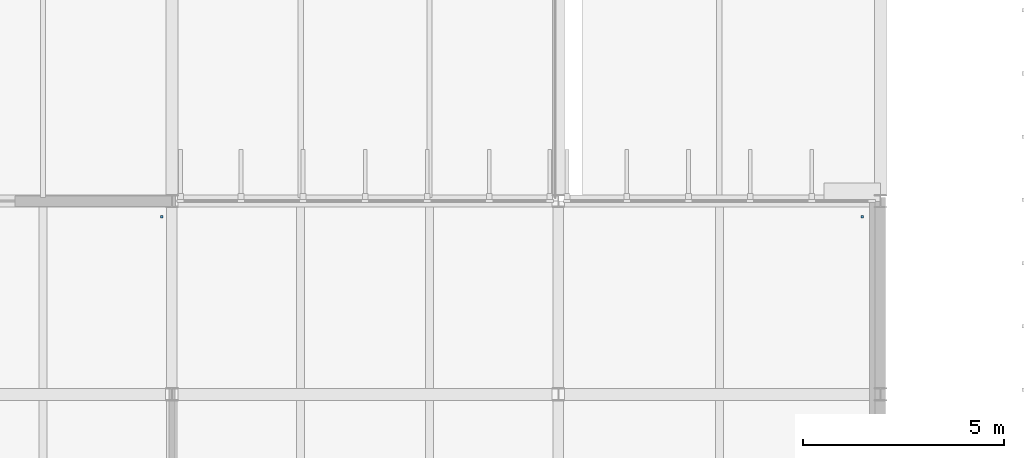
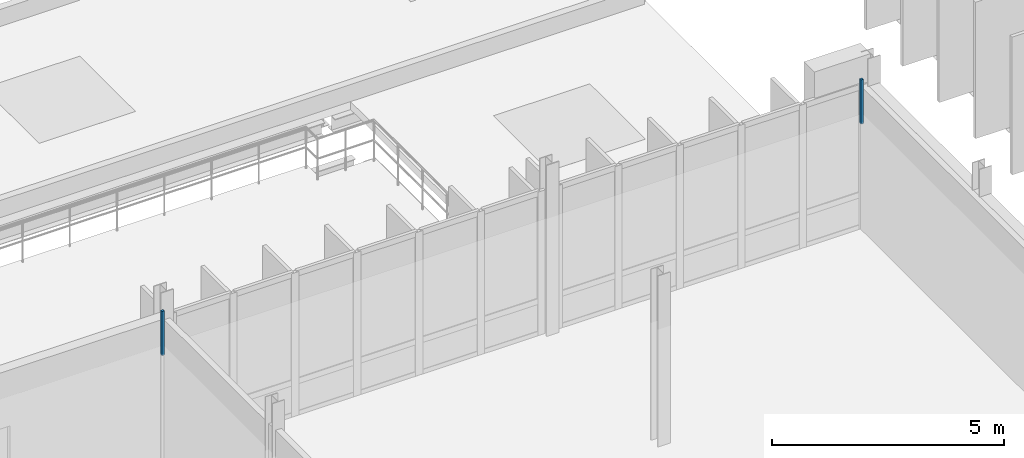
# One storey, part 81 of 110: 2 discrete accessories.
"""IFC4 building model written with IfcOpenShell, lengths in metres."""

from ifc_helpers import new_model, si_unit, direction, frame, origin, place, context, subcontext, project, spatial, polyline, outline, extrude, material, type_object, element, save


model = new_model("IFC4")

# Units and contexts
model_context = context("Model", 3, precision=1e-05, world=origin(), true_north=direction((0.0, 1.0)))
body_context = subcontext(model_context, "Body", "Model", "MODEL_VIEW")
ifc_project = project(units=[si_unit("LENGTHUNIT", "METRE"), si_unit("AREAUNIT", "SQUARE_METRE"), si_unit("VOLUMEUNIT", "CUBIC_METRE"), si_unit("PLANEANGLEUNIT", "RADIAN"), si_unit("MASSUNIT", "GRAM", prefix="KILO")], contexts=[model_context])

# Site, building, storey
site_placement = place(None, origin())
site = spatial("IfcSite", under=ifc_project, at=site_placement, CompositionType="ELEMENT")
building_placement = place(site_placement, origin())
building = spatial("IfcBuilding", under=site, at=building_placement, Name="Dunescarp Central Library", CompositionType="ELEMENT")
storey_placement = place(building_placement, frame((0.0, 0.0, 9.60009765625)))
storey = spatial("IfcBuildingStorey", under=building, at=storey_placement, Name="L02", CompositionType="ELEMENT", Elevation=9.60009765625)

# Discrete accessories
ifc_material = material(Name="Stainless steel Grade 316L", Category="steel")
discrete_accessory_type = type_object("IfcDiscreteAccessoryType", Name="ARC-ACC-BRK", PredefinedType="BRACKET", material=ifc_material)
discrete_accessory_1_placement = place(storey_placement, frame((0.0, 0.0, 3.059814453125)))
element("IfcDiscreteAccessory", 1, at=discrete_accessory_1_placement, inside=storey, type_object=discrete_accessory_type, Name="L02 ceiling hanger CLG-L02-102-H2", PredefinedType="BRACKET", context=body_context, shape_type="SweptSolid", body=[
    extrude(outline(polyline([(106.919921875, 33.179931640625), (106.97998046875, 33.179931640625), (106.97998046875, 33.239990234375), (106.919921875, 33.239990234375), (106.919921875, 33.179931640625)])), origin(), (0.0, 0.0, 1.0), 1.16015625),
])
discrete_accessory_2_placement = place(storey_placement, frame((0.0, 0.0, 3.059814453125)))
element("IfcDiscreteAccessory", 2, at=discrete_accessory_2_placement, inside=storey, type_object=discrete_accessory_type, Name="L02 ceiling hanger CLG-L02-103-H2", PredefinedType="BRACKET", context=body_context, shape_type="SweptSolid", body=[
    extrude(outline(polyline([(124.320068359375, 33.179931640625), (124.3798828125, 33.179931640625), (124.3798828125, 33.239990234375), (124.320068359375, 33.239990234375), (124.320068359375, 33.179931640625)])), origin(), (0.0, 0.0, 1.0), 1.16015625),
])

save(model, "model.ifc")
